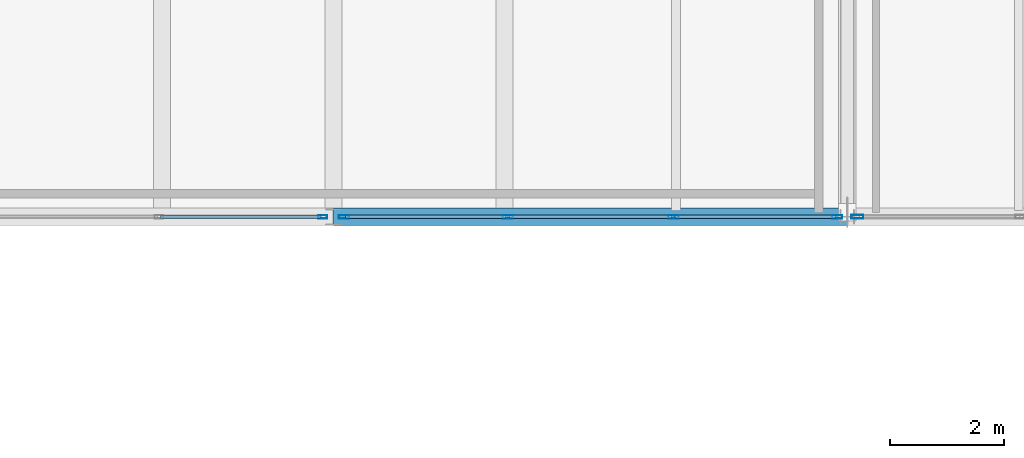
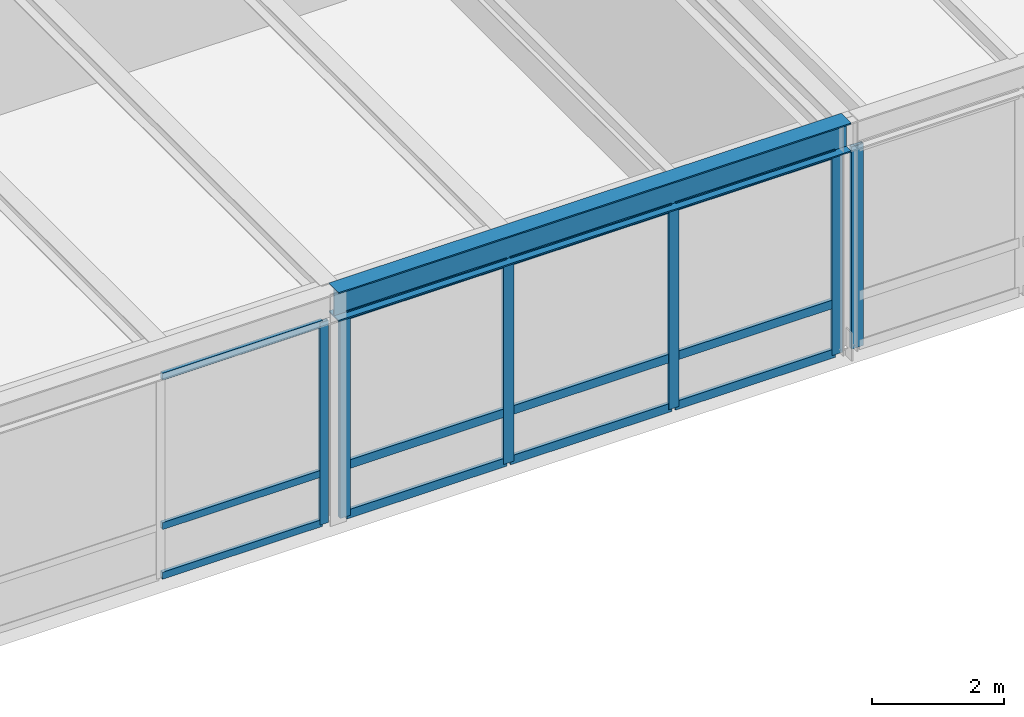
# One storey, part 25 of 67: 18 members, 1 beam, 3 elements without a shape of their own.
"""IFC4 building model written with IfcOpenShell, lengths in metres."""

from ifc_helpers import new_model, si_unit, direction, frame, origin, origin_2d, place, context, subcontext, project, spatial, hollow_rectangle, i_section, extrude, material, layer, layer_set, material_profile, profile_set, type_object, element, aggregate, save


model = new_model("IFC4")

# Units and contexts
model_context = context("Model", 3, precision=1e-05, world=origin(), true_north=direction((0.0, 1.0)))
body_context = subcontext(model_context, "Body", "Model", "MODEL_VIEW")
ifc_project = project(units=[si_unit("LENGTHUNIT", "METRE"), si_unit("AREAUNIT", "SQUARE_METRE"), si_unit("VOLUMEUNIT", "CUBIC_METRE"), si_unit("PLANEANGLEUNIT", "RADIAN"), si_unit("MASSUNIT", "GRAM", prefix="KILO")], contexts=[model_context])

# Site, building, storey
site_placement = place(None, origin())
site = spatial("IfcSite", under=ifc_project, at=site_placement, CompositionType="ELEMENT")
building_placement = place(site_placement, origin())
building = spatial("IfcBuilding", under=site, at=building_placement, Name="Montelvaro Courts of Justice", CompositionType="ELEMENT")
storey_placement = place(building_placement, frame((0.0, 0.0, 18.89990234375)))
storey = spatial("IfcBuildingStorey", under=building, at=storey_placement, Name="L04", CompositionType="ELEMENT", Elevation=18.89990234375)

# Beam
ifc_material_1 = material(Name="Steel S355", Category="steel")
ifc_material_profile_1 = material_profile(ifc_material_1, i_section(OverallWidth=0.300048828125, OverallDepth=0.5400390625, WebThickness=0.012451171875, FlangeThickness=0.02392578125, at=origin_2d()), Name="HEA 550")
ifc_profile_set_1 = profile_set([ifc_material_profile_1], Name="Steel S355")
beam_type = type_object("IfcBeamType", Name="Beam_HEA550", PredefinedType="USERDEFINED", material=ifc_profile_set_1)
beam_placement = place(storey_placement, frame((117.0, 66.0, 4.030029296875), z_axis=(1.0, 0.0, 0.0), x_axis=(0.0, 1.0, 0.0)))
element("IfcBeam", 1, at=beam_placement, inside=storey, type_object=beam_type, Name="Beam B-20 L04", ObjectType="GIRDER", PredefinedType="USERDEFINED", context=body_context, shape_type="SweptSolid", body=[
    extrude(i_section(OverallWidth=0.300048828125, OverallDepth=0.5400390625, WebThickness=0.012451171875, FlangeThickness=0.02392578125, at=origin_2d()), origin(), (0.0, 0.0, 1.0), 9.0),
])

# Curtain wall, member
ifc_material_2 = material(Name="Anodised aluminium EN AW-6063", Category="aluminium")
ifc_layer = layer(ifc_material_2, 0.159912109375)
ifc_layer_set = layer_set([ifc_layer], Name="Anodised aluminium EN AW-6063")
curtain_wall_type = type_object("IfcCurtainWallType", Name="CurtainWall_18_868x418", PredefinedType="USERDEFINED", material=ifc_layer_set)
curtain_wall_1_placement = place(storey_placement, origin())
curtain_wall_1 = element("IfcCurtainWall", 2, at=curtain_wall_1_placement, inside=storey, type_object=curtain_wall_type, Name="Curtain Wall CW-18 (L04)", ObjectType="CURTAIN WALL", PredefinedType="USERDEFINED")
ifc_material_profile_2 = material_profile(ifc_material_2, hollow_rectangle(XDim=0.06005859375, YDim=0.14990234375, WallThickness=0.00390625, at=origin_2d()), Name="ALU-M 60x150")
ifc_profile_set_2 = profile_set([ifc_material_profile_2], Name="Anodised aluminium EN AW-6063")
member_type_1 = type_object("IfcMemberType", Name="CurtainWall_Mullion_60x150", PredefinedType="MULLION", material=ifc_profile_set_2)
member_1_placement = place(storey_placement, frame((116.81494140625, 66.0, 0.0), z_axis=(0.0, 0.0, 1.0), x_axis=(0.0, 1.0, 0.0)))
member_1 = element("IfcMember", 3, at=member_1_placement, type_object=member_type_1, Name="CW-18 mullion 4", PredefinedType="MULLION", context=body_context, shape_type="SweptSolid", body=[
    extrude(hollow_rectangle(XDim=0.06005859375, YDim=0.14990234375, WallThickness=0.00390625, at=origin_2d()), origin(), (0.0, 0.0, 1.0), 3.755126953125),
])

# Curtain wall, members
curtain_wall_2_placement = place(storey_placement, origin())
curtain_wall_2 = element("IfcCurtainWall", 4, at=curtain_wall_2_placement, inside=storey, type_object=curtain_wall_type, Name="Curtain Wall CW-18 (L04)", ObjectType="CURTAIN WALL", PredefinedType="USERDEFINED")
ifc_material_profile_3 = material_profile(ifc_material_2, hollow_rectangle(XDim=0.06005859375, YDim=0.179931640625, WallThickness=0.00439453125, at=origin_2d()), Name="ALU-M 60x180")
ifc_profile_set_3 = profile_set([ifc_material_profile_3], Name="Anodised aluminium EN AW-6063")
member_type_2 = type_object("IfcMemberType", Name="CurtainWall_Mullion_60x180", PredefinedType="MULLION", material=ifc_profile_set_3)
member_2_placement = place(storey_placement, frame((117.18505859375, 66.0, 0.0), z_axis=(0.0, 0.0, 1.0), x_axis=(0.0, 1.0, 0.0)))
member_2 = element("IfcMember", 5, at=member_2_placement, type_object=member_type_2, Name="CW-18 mullion 1", PredefinedType="MULLION", context=body_context, shape_type="SweptSolid", body=[
    extrude(hollow_rectangle(XDim=0.06005859375, YDim=0.179931640625, WallThickness=0.00439453125, at=origin_2d()), origin(), (0.0, 0.0, 1.0), 3.755126953125),
])
member_3_placement = place(storey_placement, frame((120.054931640625, 66.0, 0.0), z_axis=(0.0, 0.0, 1.0), x_axis=(0.0, 1.0, 0.0)))
member_3 = element("IfcMember", 6, at=member_3_placement, type_object=member_type_2, Name="CW-18 mullion 2", PredefinedType="MULLION", context=body_context, shape_type="SweptSolid", body=[
    extrude(hollow_rectangle(XDim=0.06005859375, YDim=0.179931640625, WallThickness=0.00439453125, at=origin_2d()), origin(), (0.0, 0.0, 1.0), 3.755126953125),
])
member_4_placement = place(storey_placement, frame((122.955078125, 66.0, 0.0), z_axis=(0.0, 0.0, 1.0), x_axis=(0.0, 1.0, 0.0)))
member_4 = element("IfcMember", 7, at=member_4_placement, type_object=member_type_2, Name="CW-18 mullion 3", PredefinedType="MULLION", context=body_context, shape_type="SweptSolid", body=[
    extrude(hollow_rectangle(XDim=0.06005859375, YDim=0.179931640625, WallThickness=0.00439453125, at=origin_2d()), origin(), (0.0, 0.0, 1.0), 3.755126953125),
])
member_5_placement = place(storey_placement, frame((125.824951171875, 66.0, 0.0), z_axis=(0.0, 0.0, 1.0), x_axis=(0.0, 1.0, 0.0)))
member_5 = element("IfcMember", 8, at=member_5_placement, type_object=member_type_2, Name="CW-18 mullion 4", PredefinedType="MULLION", context=body_context, shape_type="SweptSolid", body=[
    extrude(hollow_rectangle(XDim=0.06005859375, YDim=0.179931640625, WallThickness=0.00439453125, at=origin_2d()), origin(), (0.0, 0.0, 1.0), 3.755126953125),
])

# Curtain wall, member
curtain_wall_3_placement = place(storey_placement, origin())
curtain_wall_3 = element("IfcCurtainWall", 9, at=curtain_wall_3_placement, inside=storey, type_object=curtain_wall_type, Name="Curtain Wall CW-18 (L04)", ObjectType="CURTAIN WALL", PredefinedType="USERDEFINED")
ifc_material_profile_4 = material_profile(ifc_material_2, hollow_rectangle(XDim=0.06494140625, YDim=0.2099609375, WallThickness=0.0048828125, at=origin_2d()), Name="ALU-M 65x210")
ifc_profile_set_4 = profile_set([ifc_material_profile_4], Name="Anodised aluminium EN AW-6063")
member_type_3 = type_object("IfcMemberType", Name="CurtainWall_Mullion_65x210", PredefinedType="MULLION", material=ifc_profile_set_4)
member_6_placement = place(storey_placement, frame((126.177490234375, 66.0, 0.0), z_axis=(0.0, 0.0, 1.0), x_axis=(0.0, 1.0, 0.0)))
member_6 = element("IfcMember", 10, at=member_6_placement, type_object=member_type_3, Name="CW-18 mullion 1", PredefinedType="MULLION", context=body_context, shape_type="SweptSolid", body=[
    extrude(hollow_rectangle(XDim=0.06494140625, YDim=0.2099609375, WallThickness=0.0048828125, at=origin_2d()), origin(), (0.0, 0.0, 1.0), 3.755126953125),
])
aggregate(curtain_wall_3, [member_6])

# Member
ifc_material_profile_5 = material_profile(ifc_material_2, hollow_rectangle(XDim=0.06005859375, YDim=0.1298828125, WallThickness=0.00390625, at=origin_2d()), Name="ALU-T 60x130")
ifc_profile_set_5 = profile_set([ifc_material_profile_5], Name="Anodised aluminium EN AW-6063")
member_type_4 = type_object("IfcMemberType", Name="CurtainWall_Transom_60x130", PredefinedType="USERDEFINED", material=ifc_profile_set_5)
member_7_placement = place(storey_placement, frame((113.97509765625, 66.0, 0.030029296875), z_axis=(1.0, 0.0, 0.0), x_axis=(0.0, 1.0, 0.0)))
member_7 = element("IfcMember", 11, at=member_7_placement, type_object=member_type_4, Name="CW-18 transom 3.1", ObjectType="TRANSOM", PredefinedType="USERDEFINED", context=body_context, shape_type="SweptSolid", body=[
    extrude(hollow_rectangle(XDim=0.06005859375, YDim=0.1298828125, WallThickness=0.00390625, at=origin_2d()), origin(), (0.0, 0.0, 1.0), 2.809814453125),
])

member_8_placement = place(storey_placement, frame((113.97509765625, 66.0, 0.9501953125), z_axis=(1.0, 0.0, 0.0), x_axis=(0.0, 1.0, 0.0)))
member_8 = element("IfcMember", 12, at=member_8_placement, type_object=member_type_4, Name="CW-18 transom 3.2", ObjectType="TRANSOM", PredefinedType="USERDEFINED", context=body_context, shape_type="SweptSolid", body=[
    extrude(hollow_rectangle(XDim=0.06005859375, YDim=0.1298828125, WallThickness=0.00390625, at=origin_2d()), origin(), (0.0, 0.0, 1.0), 2.809814453125),
])

member_9_placement = place(storey_placement, frame((113.97509765625, 66.0, 3.72509765625), z_axis=(1.0, 0.0, 0.0), x_axis=(0.0, 1.0, 0.0)))
member_9 = element("IfcMember", 13, at=member_9_placement, type_object=member_type_4, Name="CW-18 transom 3.3", ObjectType="TRANSOM", PredefinedType="USERDEFINED", context=body_context, shape_type="SweptSolid", body=[
    extrude(hollow_rectangle(XDim=0.06005859375, YDim=0.1298828125, WallThickness=0.00390625, at=origin_2d()), origin(), (0.0, 0.0, 1.0), 2.809814453125),
])

aggregate(curtain_wall_1, [member_1, member_7, member_8, member_9])

ifc_material_profile_6 = material_profile(ifc_material_2, hollow_rectangle(XDim=0.06005859375, YDim=0.159912109375, WallThickness=0.00439453125, at=origin_2d()), Name="ALU-T 60x160")
ifc_profile_set_6 = profile_set([ifc_material_profile_6], Name="Anodised aluminium EN AW-6063")
member_type_5 = type_object("IfcMemberType", Name="CurtainWall_Transom_60x160", PredefinedType="USERDEFINED", material=ifc_profile_set_6)
member_10_placement = place(storey_placement, frame((117.215087890625, 66.0, 0.030029296875), z_axis=(1.0, 0.0, 0.0), x_axis=(0.0, 1.0, 0.0)))
member_10 = element("IfcMember", 14, at=member_10_placement, type_object=member_type_5, Name="CW-18 transom 1.1", ObjectType="TRANSOM", PredefinedType="USERDEFINED", context=body_context, shape_type="SweptSolid", body=[
    extrude(hollow_rectangle(XDim=0.06005859375, YDim=0.159912109375, WallThickness=0.00439453125, at=origin_2d()), origin(), (0.0, 0.0, 1.0), 2.809814453125),
])

member_11_placement = place(storey_placement, frame((117.215087890625, 66.0, 0.9501953125), z_axis=(1.0, 0.0, 0.0), x_axis=(0.0, 1.0, 0.0)))
member_11 = element("IfcMember", 15, at=member_11_placement, type_object=member_type_5, Name="CW-18 transom 1.2", ObjectType="TRANSOM", PredefinedType="USERDEFINED", context=body_context, shape_type="SweptSolid", body=[
    extrude(hollow_rectangle(XDim=0.06005859375, YDim=0.159912109375, WallThickness=0.00439453125, at=origin_2d()), origin(), (0.0, 0.0, 1.0), 2.809814453125),
])

member_12_placement = place(storey_placement, frame((117.215087890625, 66.0, 3.72509765625), z_axis=(1.0, 0.0, 0.0), x_axis=(0.0, 1.0, 0.0)))
member_12 = element("IfcMember", 16, at=member_12_placement, type_object=member_type_5, Name="CW-18 transom 1.3", ObjectType="TRANSOM", PredefinedType="USERDEFINED", context=body_context, shape_type="SweptSolid", body=[
    extrude(hollow_rectangle(XDim=0.06005859375, YDim=0.159912109375, WallThickness=0.00439453125, at=origin_2d()), origin(), (0.0, 0.0, 1.0), 2.809814453125),
])

member_13_placement = place(storey_placement, frame((120.0849609375, 66.0, 0.030029296875), z_axis=(1.0, 0.0, 0.0), x_axis=(0.0, 1.0, 0.0)))
member_13 = element("IfcMember", 17, at=member_13_placement, type_object=member_type_5, Name="CW-18 transom 2.1", ObjectType="TRANSOM", PredefinedType="USERDEFINED", context=body_context, shape_type="SweptSolid", body=[
    extrude(hollow_rectangle(XDim=0.06005859375, YDim=0.159912109375, WallThickness=0.00439453125, at=origin_2d()), origin(), (0.0, 0.0, 1.0), 2.840087890625),
])

member_14_placement = place(storey_placement, frame((120.0849609375, 66.0, 0.9501953125), z_axis=(1.0, 0.0, 0.0), x_axis=(0.0, 1.0, 0.0)))
member_14 = element("IfcMember", 18, at=member_14_placement, type_object=member_type_5, Name="CW-18 transom 2.2", ObjectType="TRANSOM", PredefinedType="USERDEFINED", context=body_context, shape_type="SweptSolid", body=[
    extrude(hollow_rectangle(XDim=0.06005859375, YDim=0.159912109375, WallThickness=0.00439453125, at=origin_2d()), origin(), (0.0, 0.0, 1.0), 2.840087890625),
])

member_15_placement = place(storey_placement, frame((120.0849609375, 66.0, 3.72509765625), z_axis=(1.0, 0.0, 0.0), x_axis=(0.0, 1.0, 0.0)))
member_15 = element("IfcMember", 19, at=member_15_placement, type_object=member_type_5, Name="CW-18 transom 2.3", ObjectType="TRANSOM", PredefinedType="USERDEFINED", context=body_context, shape_type="SweptSolid", body=[
    extrude(hollow_rectangle(XDim=0.06005859375, YDim=0.159912109375, WallThickness=0.00439453125, at=origin_2d()), origin(), (0.0, 0.0, 1.0), 2.840087890625),
])

member_16_placement = place(storey_placement, frame((122.985107421875, 66.0, 0.030029296875), z_axis=(1.0, 0.0, 0.0), x_axis=(0.0, 1.0, 0.0)))
member_16 = element("IfcMember", 20, at=member_16_placement, type_object=member_type_5, Name="CW-18 transom 3.1", ObjectType="TRANSOM", PredefinedType="USERDEFINED", context=body_context, shape_type="SweptSolid", body=[
    extrude(hollow_rectangle(XDim=0.06005859375, YDim=0.159912109375, WallThickness=0.00439453125, at=origin_2d()), origin(), (0.0, 0.0, 1.0), 2.809814453125),
])

member_17_placement = place(storey_placement, frame((122.985107421875, 66.0, 0.9501953125), z_axis=(1.0, 0.0, 0.0), x_axis=(0.0, 1.0, 0.0)))
member_17 = element("IfcMember", 21, at=member_17_placement, type_object=member_type_5, Name="CW-18 transom 3.2", ObjectType="TRANSOM", PredefinedType="USERDEFINED", context=body_context, shape_type="SweptSolid", body=[
    extrude(hollow_rectangle(XDim=0.06005859375, YDim=0.159912109375, WallThickness=0.00439453125, at=origin_2d()), origin(), (0.0, 0.0, 1.0), 2.809814453125),
])

member_18_placement = place(storey_placement, frame((122.985107421875, 66.0, 3.72509765625), z_axis=(1.0, 0.0, 0.0), x_axis=(0.0, 1.0, 0.0)))
member_18 = element("IfcMember", 22, at=member_18_placement, type_object=member_type_5, Name="CW-18 transom 3.3", ObjectType="TRANSOM", PredefinedType="USERDEFINED", context=body_context, shape_type="SweptSolid", body=[
    extrude(hollow_rectangle(XDim=0.06005859375, YDim=0.159912109375, WallThickness=0.00439453125, at=origin_2d()), origin(), (0.0, 0.0, 1.0), 2.809814453125),
])

aggregate(curtain_wall_2, [member_2, member_3, member_4, member_5, member_10, member_11, member_12, member_13, member_14, member_15, member_16, member_17, member_18])

save(model, "model.ifc")
